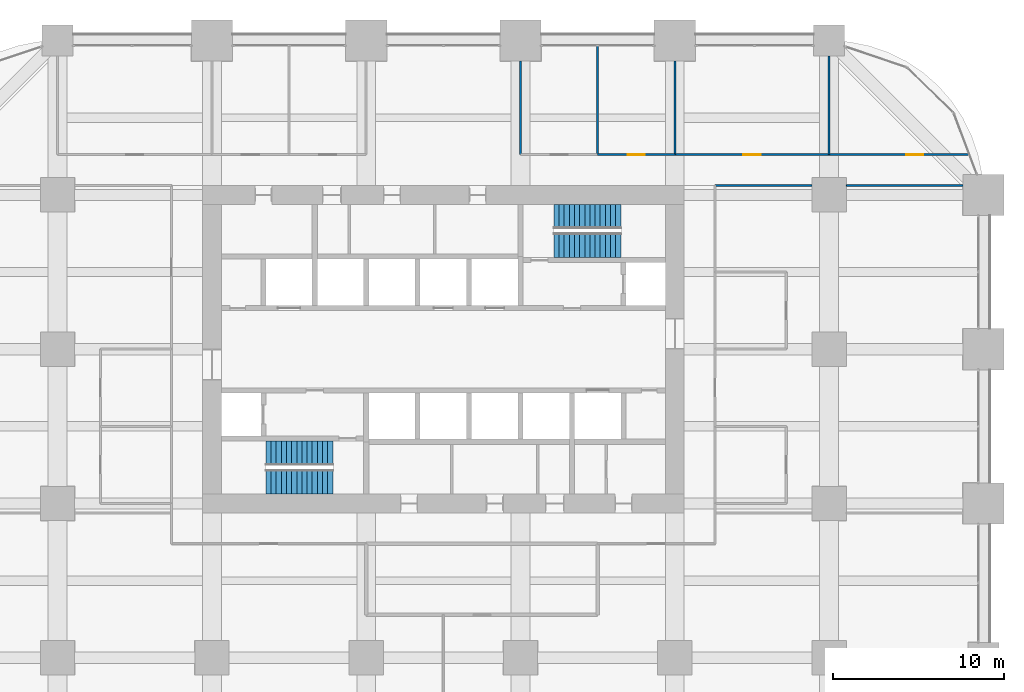
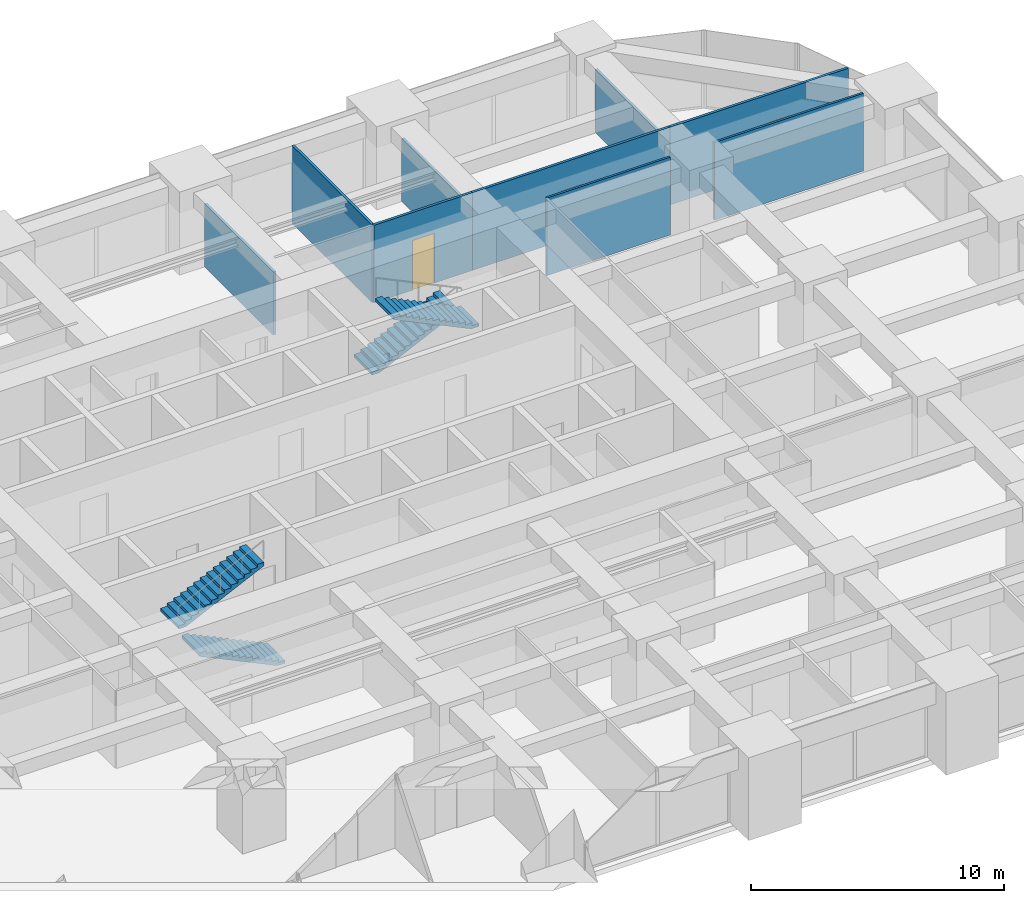
# One storey, part 39 of 41: 9 walls, 4 stair flights, 3 doors, 3 openings, 2 elements without a shape of their own.
"""IFC4 building model written with IfcOpenShell, lengths in metres."""

from ifc_helpers import new_model, si_unit, direction, frame, frame_2d, origin, place, context, subcontext, project, spatial, polyline, rectangle, outline, extrude, material, layer, layer_set, type_object, element, fill, aggregate, save


model = new_model("IFC4")

# Units and contexts
model_context = context("Model", 3, precision=1e-05, world=origin(), true_north=direction((0.0, 1.0)))
body_context = subcontext(model_context, "Body", "Model", "MODEL_VIEW")
ifc_project = project(units=[si_unit("LENGTHUNIT", "METRE"), si_unit("AREAUNIT", "SQUARE_METRE"), si_unit("VOLUMEUNIT", "CUBIC_METRE"), si_unit("PLANEANGLEUNIT", "RADIAN"), si_unit("MASSUNIT", "GRAM", prefix="KILO")], contexts=[model_context])

# Site, building, storey
site_placement = place(None, origin())
site = spatial("IfcSite", under=ifc_project, at=site_placement, CompositionType="ELEMENT")
building_placement = place(site_placement, origin())
building = spatial("IfcBuilding", under=site, at=building_placement, Name="Zorevar Civic Tower", CompositionType="ELEMENT")
storey_placement = place(building_placement, frame((0.0, 0.0, 105.0)))
storey = spatial("IfcBuildingStorey", under=building, at=storey_placement, Name="L25", CompositionType="ELEMENT", Elevation=105.0)

# Walls
ifc_material_1 = material(Name="Laminated glass in black aluminium frame", Category="aluminium")
ifc_layer_1 = layer(ifc_material_1, 0.10009765625)
ifc_layer_set_1 = layer_set([ifc_layer_1], Name="Glazed partition 100")
wall_type_1 = type_object("IfcWallType", Name="Glazed partition 100", PredefinedType="PARTITIONING", material=ifc_layer_set_1)
wall_1_placement = place(storey_placement, frame((47.35009765625, 36.550048828125, 0.0), z_axis=(0.0, 0.0, 1.0), x_axis=(1.0, 0.0, 0.0)))
element("IfcWall", 1, at=wall_1_placement, inside=storey, type_object=wall_type_1, Name="Glazed partition 100 L25", PredefinedType="PARTITIONING", context=body_context, shape_type="SweptSolid", body=[
    extrude(rectangle(XDim=5.64990234375, YDim=0.10009765625, at=frame_2d((2.824951171875, 0.0))), origin(), (0.0, 0.0, 1.0), 3.75),
])
wall_2_placement = place(storey_placement, frame((55.0, 36.550048828125, 0.0), z_axis=(0.0, 0.0, 1.0), x_axis=(1.0, 0.0, 0.0)))
element("IfcWall", 2, at=wall_2_placement, inside=storey, type_object=wall_type_1, Name="Glazed partition 100 L25", PredefinedType="PARTITIONING", context=body_context, shape_type="SweptSolid", body=[
    extrude(rectangle(XDim=6.800048828125, YDim=0.10009765625, at=frame_2d((3.39990234375, 0.0))), origin(), (0.0, 0.0, 1.0), 3.75),
])

# Wall, opening, door
ifc_material_2 = material(Name="Gypsum board on steel studs", Category="steel")
ifc_layer_2 = layer(ifc_material_2, 0.1201171875)
ifc_layer_set_2 = layer_set([ifc_layer_2], Name="Partition 120")
wall_type_2 = type_object("IfcWallType", Name="Partition 120", PredefinedType="PARTITIONING", material=ifc_layer_set_2)
wall_3_placement = place(storey_placement, frame((40.5, 38.35009765625, 0.0), z_axis=(0.0, 0.0, 1.0), x_axis=(1.0, 0.0, 0.0)))
wall_3 = element("IfcWall", 3, at=wall_3_placement, inside=storey, type_object=wall_type_2, Name="Partition 120 L25", PredefinedType="PARTITIONING", context=body_context, shape_type="SweptSolid", body=[
    extrude(rectangle(XDim=4.5, YDim=0.1201171875, at=frame_2d((2.25, 0.0))), origin(), (0.0, 0.0, 1.0), 3.75),
])
opening_1_placement = place(wall_3_placement, frame((1.75, 0.0, 0.0)))
opening_1 = element("IfcOpeningElement", 4, at=opening_1_placement, cuts=wall_3, Name="Opening L25.32", PredefinedType="OPENING", context=body_context, shape_type="SweptSolid", body=[
    extrude(rectangle(XDim=1.0, YDim=2.39990234375, at=frame_2d((0.5, 1.199951171875))), frame((0.0, 0.070068359375, 0.0), z_axis=(0.0, -1.0, 0.0), x_axis=(1.0, 0.0, 0.0)), (0.0, 0.0, 1.0), 0.14013671875),
])
ifc_material_3 = material(Name="Timber door set", Category="wood")
door_type = type_object("IfcDoorType", Name="Door D1 1000x2400", OperationType="SINGLE_SWING_LEFT", PredefinedType="DOOR", material=ifc_material_3)
door_1_placement = place(opening_1_placement, origin())
door_1 = element("IfcDoor", 5, at=door_1_placement, inside=storey, type_object=door_type, Name="Door L25 D1", OperationType="SINGLE_SWING_RIGHT", OverallHeight=2.39990234375, OverallWidth=1.0, PredefinedType="DOOR", context=body_context, shape_type="SweptSolid", body=[
    extrude(rectangle(XDim=1.0, YDim=2.39990234375, at=frame_2d((0.5, 1.199951171875))), frame((0.0, 0.02490234375, 0.0), z_axis=(0.0, -1.0, 0.0), x_axis=(1.0, 0.0, 0.0)), (0.0, 0.0, 1.0), 0.050048828125),
])
fill(opening_1, door_1)

wall_4_placement = place(storey_placement, frame((45.0, 38.35009765625, 0.0), z_axis=(0.0, 0.0, 1.0), x_axis=(1.0, 0.0, 0.0)))
wall_4 = element("IfcWall", 6, at=wall_4_placement, inside=storey, type_object=wall_type_2, Name="Partition 120 L25", PredefinedType="PARTITIONING", context=body_context, shape_type="SweptSolid", body=[
    extrude(rectangle(XDim=9.0, YDim=0.1201171875, at=frame_2d((4.5, 0.0))), origin(), (0.0, 0.0, 1.0), 3.75),
])
opening_2_placement = place(wall_4_placement, frame((4.0, 0.0, 0.0)))
opening_2 = element("IfcOpeningElement", 7, at=opening_2_placement, cuts=wall_4, Name="Opening L25.33", PredefinedType="OPENING", context=body_context, shape_type="SweptSolid", body=[
    extrude(rectangle(XDim=1.0, YDim=2.39990234375, at=frame_2d((0.5, 1.199951171875))), frame((0.0, 0.070068359375, 0.0), z_axis=(0.0, -1.0, 0.0), x_axis=(1.0, 0.0, 0.0)), (0.0, 0.0, 1.0), 0.14013671875),
])
door_2_placement = place(opening_2_placement, origin())
door_2 = element("IfcDoor", 8, at=door_2_placement, inside=storey, type_object=door_type, Name="Door L25 D1", OperationType="SINGLE_SWING_RIGHT", OverallHeight=2.39990234375, OverallWidth=1.0, PredefinedType="DOOR", context=body_context, shape_type="SweptSolid", body=[
    extrude(rectangle(XDim=1.0, YDim=2.39990234375, at=frame_2d((0.5, 1.199951171875))), frame((0.0, 0.02490234375, 0.0), z_axis=(0.0, -1.0, 0.0), x_axis=(1.0, 0.0, 0.0)), (0.0, 0.0, 1.0), 0.050048828125),
])
fill(opening_2, door_2)

wall_5_placement = place(storey_placement, frame((54.0, 38.35009765625, 0.0), z_axis=(0.0, 0.0, 1.0), x_axis=(1.0, 0.0, 0.0)))
wall_5 = element("IfcWall", 9, at=wall_5_placement, inside=storey, type_object=wall_type_2, Name="Partition 120 L25", PredefinedType="PARTITIONING", context=body_context, shape_type="SweptSolid", body=[
    extrude(rectangle(XDim=8.14453125, YDim=0.1201171875, at=frame_2d((4.072265625, 0.0))), origin(), (0.0, 0.0, 1.0), 3.75),
])
opening_3_placement = place(wall_5_placement, frame((4.5, 0.0, 0.0)))
opening_3 = element("IfcOpeningElement", 10, at=opening_3_placement, cuts=wall_5, Name="Opening L25.34", PredefinedType="OPENING", context=body_context, shape_type="SweptSolid", body=[
    extrude(rectangle(XDim=1.0, YDim=2.39990234375, at=frame_2d((0.5, 1.199951171875))), frame((0.0, 0.070068359375, 0.0), z_axis=(0.0, -1.0, 0.0), x_axis=(1.0, 0.0, 0.0)), (0.0, 0.0, 1.0), 0.14013671875),
])
door_3_placement = place(opening_3_placement, origin())
door_3 = element("IfcDoor", 11, at=door_3_placement, inside=storey, type_object=door_type, Name="Door L25 D1", OperationType="SINGLE_SWING_RIGHT", OverallHeight=2.39990234375, OverallWidth=1.0, PredefinedType="DOOR", context=body_context, shape_type="SweptSolid", body=[
    extrude(rectangle(XDim=1.0, YDim=2.39990234375, at=frame_2d((0.5, 1.199951171875))), frame((0.0, 0.02490234375, 0.0), z_axis=(0.0, -1.0, 0.0), x_axis=(1.0, 0.0, 0.0)), (0.0, 0.0, 1.0), 0.050048828125),
])
fill(opening_3, door_3)

# Walls
wall_6_placement = place(storey_placement, frame((36.0, 38.35009765625, 0.0), z_axis=(0.0, 0.0, 1.0), x_axis=(0.0, 1.0, 0.0)))
element("IfcWall", 12, at=wall_6_placement, inside=storey, type_object=wall_type_2, Name="Partition 120 L25", PredefinedType="PARTITIONING", context=body_context, shape_type="SweptSolid", body=[
    extrude(rectangle(XDim=5.449951171875, YDim=0.1201171875, at=frame_2d((2.72509765625, 0.0))), origin(), (0.0, 0.0, 1.0), 3.050048828125),
])
wall_7_placement = place(storey_placement, frame((40.5, 38.35009765625, 0.0), z_axis=(0.0, 0.0, 1.0), x_axis=(0.0, 1.0, 0.0)))
element("IfcWall", 13, at=wall_7_placement, inside=storey, type_object=wall_type_2, Name="Partition 120 L25", PredefinedType="PARTITIONING", context=body_context, shape_type="SweptSolid", body=[
    extrude(rectangle(XDim=6.33984375, YDim=0.1201171875, at=frame_2d((3.169921875, 0.0))), origin(), (0.0, 0.0, 1.0), 3.75),
])
wall_8_placement = place(storey_placement, frame((45.0, 38.35009765625, 0.0), z_axis=(0.0, 0.0, 1.0), x_axis=(0.0, 1.0, 0.0)))
element("IfcWall", 14, at=wall_8_placement, inside=storey, type_object=wall_type_2, Name="Partition 120 L25", PredefinedType="PARTITIONING", context=body_context, shape_type="SweptSolid", body=[
    extrude(rectangle(XDim=5.449951171875, YDim=0.1201171875, at=frame_2d((2.72509765625, 0.0))), origin(), (0.0, 0.0, 1.0), 3.050048828125),
])
wall_9_placement = place(storey_placement, frame((54.0, 38.35009765625, 0.0), z_axis=(0.0, 0.0, 1.0), x_axis=(0.0, 1.0, 0.0)))
element("IfcWall", 15, at=wall_9_placement, inside=storey, type_object=wall_type_2, Name="Partition 120 L25", PredefinedType="PARTITIONING", context=body_context, shape_type="SweptSolid", body=[
    extrude(rectangle(XDim=5.75, YDim=0.1201171875, at=frame_2d((2.875, 0.0))), origin(), (0.0, 0.0, 1.0), 3.050048828125),
])

# Stair, stair flights
ifc_material_4 = material(Name="Precast concrete C40/50", Category="concrete")
stair_type = type_object("IfcStairType", Name="Stair ST 28R", PredefinedType="HALF_TURN_STAIR", material=ifc_material_4)
stair_1_placement = place(storey_placement, origin())
stair_1 = element("IfcStair", 16, at=stair_1_placement, inside=storey, type_object=stair_type, Name="Stair ST1 L25", PredefinedType="HALF_TURN_STAIR")
ifc_material_5 = material(Name="Precast concrete C40/50", Category="concrete")
stair_flight_type = type_object("IfcStairFlightType", Name="Stair flight", PredefinedType="STRAIGHT", material=ifc_material_5)
stair_flight_1_placement = place(storey_placement, frame((25.050048828125, 19.262451171875, 0.0), z_axis=(0.0, 0.0, 1.0), x_axis=(-1.0, 0.0, 0.0)))
stair_flight_1 = element("IfcStairFlight", 17, at=stair_flight_1_placement, type_object=stair_flight_type, Name="ST1 flight 1", NumberOfRisers=14, NumberOfTreads=13, PredefinedType="STRAIGHT", RiserHeight=0.142857143, TreadLength=0.3, context=body_context, shape_type="SweptSolid", body=[
    extrude(outline(polyline([(0.0, 0.0), (0.0, 0.142822265625), (0.300048828125, 0.142822265625), (0.300048828125, 0.28564453125), (0.60009765625, 0.28564453125), (0.60009765625, 0.428466796875), (0.89990234375, 0.428466796875), (0.89990234375, 0.571533203125), (1.199951171875, 0.571533203125), (1.199951171875, 0.71435546875), (1.5, 0.71435546875), (1.5, 0.857177734375), (1.800048828125, 0.857177734375), (1.800048828125, 1.0), (2.10009765625, 1.0), (2.10009765625, 1.142822265625), (2.39990234375, 1.142822265625), (2.39990234375, 1.28564453125), (2.699951171875, 1.28564453125), (2.699951171875, 1.428466796875), (3.0, 1.428466796875), (3.0, 1.571533203125), (3.300048828125, 1.571533203125), (3.300048828125, 1.71435546875), (3.60009765625, 1.71435546875), (3.60009765625, 1.857177734375), (3.89990234375, 1.857177734375), (3.89990234375, 2.0), (3.89990234375, 1.691162109375), (0.3486328125, 0.0), (0.0, 0.0)])), frame((0.0, 0.71240234375, 0.0), z_axis=(0.0, -1.0, 0.0), x_axis=(1.0, 0.0, 0.0)), (0.0, 0.0, 1.0), 1.425048828125),
])
stair_flight_2_placement = place(storey_placement, frame((21.14990234375, 20.9375, 2.0), z_axis=(0.0, 0.0, 1.0), x_axis=(1.0, 0.0, 0.0)))
stair_flight_2 = element("IfcStairFlight", 18, at=stair_flight_2_placement, type_object=stair_flight_type, Name="ST1 flight 2", NumberOfRisers=14, NumberOfTreads=13, PredefinedType="STRAIGHT", RiserHeight=0.142857143, TreadLength=0.3, context=body_context, shape_type="SweptSolid", body=[
    extrude(outline(polyline([(0.0, 0.0), (0.0, 0.142822265625), (0.300048828125, 0.142822265625), (0.300048828125, 0.28564453125), (0.60009765625, 0.28564453125), (0.60009765625, 0.428466796875), (0.89990234375, 0.428466796875), (0.89990234375, 0.571533203125), (1.199951171875, 0.571533203125), (1.199951171875, 0.71435546875), (1.5, 0.71435546875), (1.5, 0.857177734375), (1.800048828125, 0.857177734375), (1.800048828125, 1.0), (2.10009765625, 1.0), (2.10009765625, 1.142822265625), (2.39990234375, 1.142822265625), (2.39990234375, 1.28564453125), (2.699951171875, 1.28564453125), (2.699951171875, 1.428466796875), (3.0, 1.428466796875), (3.0, 1.571533203125), (3.300048828125, 1.571533203125), (3.300048828125, 1.71435546875), (3.60009765625, 1.71435546875), (3.60009765625, 1.857177734375), (3.89990234375, 1.857177734375), (3.89990234375, 2.0), (3.89990234375, 1.691162109375), (0.3486328125, 0.0), (0.0, 0.0)])), frame((0.0, 0.71240234375, 0.0), z_axis=(0.0, -1.0, 0.0), x_axis=(1.0, 0.0, 0.0)), (0.0, 0.0, 1.0), 1.425048828125),
])
aggregate(stair_1, [stair_flight_1, stair_flight_2])

stair_2_placement = place(storey_placement, origin())
stair_2 = element("IfcStair", 19, at=stair_2_placement, inside=storey, type_object=stair_type, Name="Stair ST2 L25", PredefinedType="HALF_TURN_STAIR")
stair_flight_3_placement = place(storey_placement, frame((37.949951171875, 34.737548828125, 0.0), z_axis=(0.0, 0.0, 1.0), x_axis=(1.0, 0.0, 0.0)))
stair_flight_3 = element("IfcStairFlight", 20, at=stair_flight_3_placement, type_object=stair_flight_type, Name="ST2 flight 1", NumberOfRisers=14, NumberOfTreads=13, PredefinedType="STRAIGHT", RiserHeight=0.142857143, TreadLength=0.3, context=body_context, shape_type="SweptSolid", body=[
    extrude(outline(polyline([(0.0, 0.0), (0.0, 0.142822265625), (0.300048828125, 0.142822265625), (0.300048828125, 0.28564453125), (0.60009765625, 0.28564453125), (0.60009765625, 0.428466796875), (0.89990234375, 0.428466796875), (0.89990234375, 0.571533203125), (1.199951171875, 0.571533203125), (1.199951171875, 0.71435546875), (1.5, 0.71435546875), (1.5, 0.857177734375), (1.800048828125, 0.857177734375), (1.800048828125, 1.0), (2.10009765625, 1.0), (2.10009765625, 1.142822265625), (2.39990234375, 1.142822265625), (2.39990234375, 1.28564453125), (2.699951171875, 1.28564453125), (2.699951171875, 1.428466796875), (3.0, 1.428466796875), (3.0, 1.571533203125), (3.300048828125, 1.571533203125), (3.300048828125, 1.71435546875), (3.60009765625, 1.71435546875), (3.60009765625, 1.857177734375), (3.89990234375, 1.857177734375), (3.89990234375, 2.0), (3.89990234375, 1.691162109375), (0.3486328125, 0.0), (0.0, 0.0)])), frame((0.0, 0.71240234375, 0.0), z_axis=(0.0, -1.0, 0.0), x_axis=(1.0, 0.0, 0.0)), (0.0, 0.0, 1.0), 1.425048828125),
])
stair_flight_4_placement = place(storey_placement, frame((41.85009765625, 33.0625, 2.0), z_axis=(0.0, 0.0, 1.0), x_axis=(-1.0, 0.0, 0.0)))
stair_flight_4 = element("IfcStairFlight", 21, at=stair_flight_4_placement, type_object=stair_flight_type, Name="ST2 flight 2", NumberOfRisers=14, NumberOfTreads=13, PredefinedType="STRAIGHT", RiserHeight=0.142857143, TreadLength=0.3, context=body_context, shape_type="SweptSolid", body=[
    extrude(outline(polyline([(0.0, 0.0), (0.0, 0.142822265625), (0.300048828125, 0.142822265625), (0.300048828125, 0.28564453125), (0.60009765625, 0.28564453125), (0.60009765625, 0.428466796875), (0.89990234375, 0.428466796875), (0.89990234375, 0.571533203125), (1.199951171875, 0.571533203125), (1.199951171875, 0.71435546875), (1.5, 0.71435546875), (1.5, 0.857177734375), (1.800048828125, 0.857177734375), (1.800048828125, 1.0), (2.10009765625, 1.0), (2.10009765625, 1.142822265625), (2.39990234375, 1.142822265625), (2.39990234375, 1.28564453125), (2.699951171875, 1.28564453125), (2.699951171875, 1.428466796875), (3.0, 1.428466796875), (3.0, 1.571533203125), (3.300048828125, 1.571533203125), (3.300048828125, 1.71435546875), (3.60009765625, 1.71435546875), (3.60009765625, 1.857177734375), (3.89990234375, 1.857177734375), (3.89990234375, 2.0), (3.89990234375, 1.691162109375), (0.3486328125, 0.0), (0.0, 0.0)])), frame((0.0, 0.71240234375, 0.0), z_axis=(0.0, -1.0, 0.0), x_axis=(1.0, 0.0, 0.0)), (0.0, 0.0, 1.0), 1.425048828125),
])
aggregate(stair_2, [stair_flight_3, stair_flight_4])

save(model, "model.ifc")
